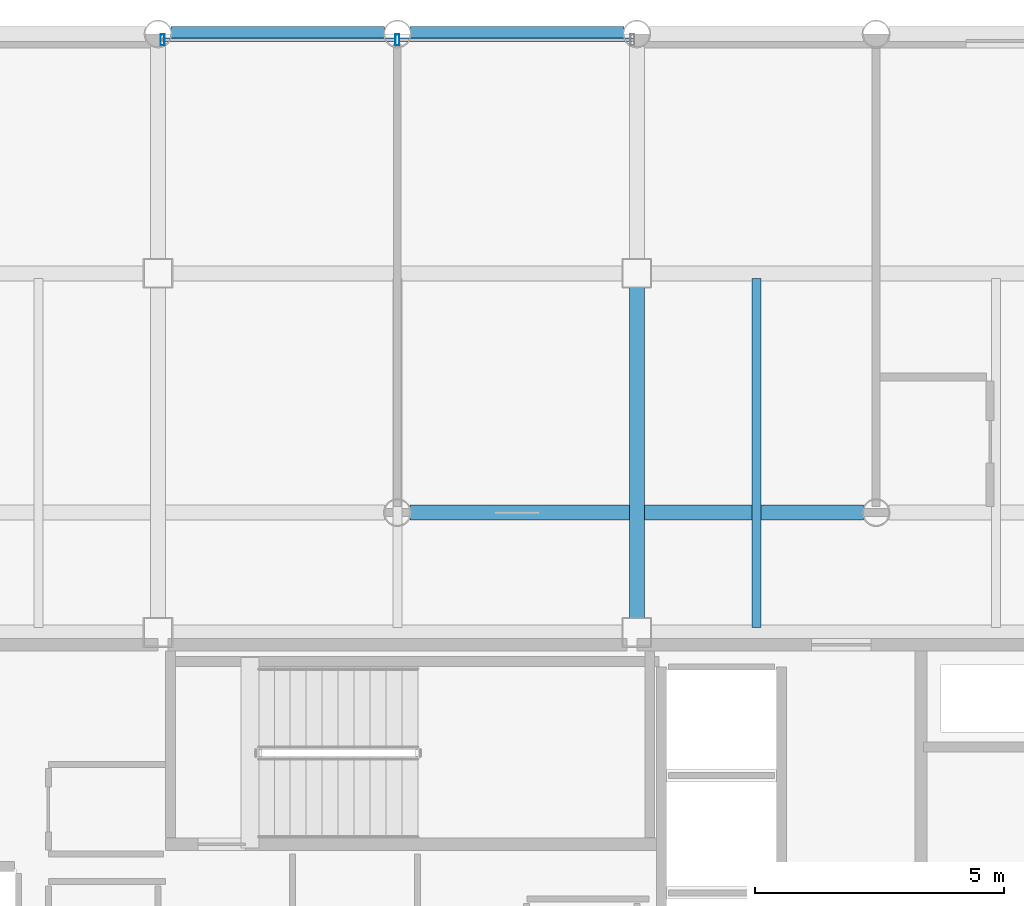
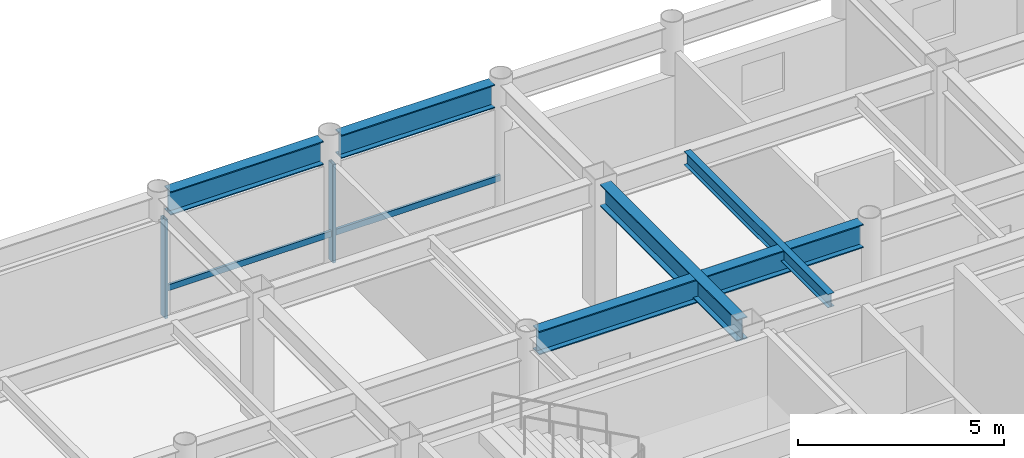
# One storey, part 13 of 22: 5 beams, 4 members, 1 element without a shape of its own.
"""IFC4 building model written with IfcOpenShell, lengths in metres."""

from ifc_helpers import new_model, si_unit, direction, frame, origin, origin_2d, place, context, subcontext, project, spatial, hollow_rectangle, i_section, extrude, material, layer, layer_set, material_profile, profile_set, type_object, element, aggregate, save


model = new_model("IFC4")

# Units and contexts
model_context = context("Model", 3, precision=1e-05, world=origin(), true_north=direction((0.0, 1.0)))
body_context = subcontext(model_context, "Body", "Model", "MODEL_VIEW")
ifc_project = project(units=[si_unit("LENGTHUNIT", "METRE"), si_unit("AREAUNIT", "SQUARE_METRE"), si_unit("VOLUMEUNIT", "CUBIC_METRE"), si_unit("PLANEANGLEUNIT", "RADIAN"), si_unit("MASSUNIT", "GRAM", prefix="KILO")], contexts=[model_context])

# Site, building, storey
site_placement = place(None, origin())
site = spatial("IfcSite", under=ifc_project, at=site_placement, CompositionType="ELEMENT")
building_placement = place(site_placement, origin())
building = spatial("IfcBuilding", under=site, at=building_placement, Name="Kallvorn Hotel Tower", CompositionType="ELEMENT")
storey_placement = place(building_placement, frame((0.0, 0.0, 206.89990234375)))
storey = spatial("IfcBuildingStorey", under=building, at=storey_placement, Name="L51", CompositionType="ELEMENT", Elevation=206.89990234375)

# Beams
ifc_material_1 = material(Name="Structural steel S355JR", Category="steel")
ifc_material_profile_1 = material_profile(ifc_material_1, i_section(OverallWidth=0.300048828125, OverallDepth=0.64990234375, WebThickness=0.01611328125, FlangeThickness=0.031005859375, at=origin_2d()), Name="HE 650 B")
ifc_profile_set_1 = profile_set([ifc_material_profile_1], Name="Structural steel S355JR")
beam_type_1 = type_object("IfcBeamType", Name="BM_HE650B", PredefinedType="BEAM", material=ifc_profile_set_1)
beam_1_placement = place(storey_placement, frame((4.800048828125, 7.47509765625, 3.34521484375), z_axis=(0.0, 1.0, 0.0), x_axis=(-1.0, 0.0, 0.0)))
element("IfcBeam", 1, at=beam_1_placement, inside=storey, type_object=beam_type_1, Name="L52 Primary Y-Girder 116", PredefinedType="BEAM", context=body_context, shape_type="SweptSolid", body=[
    extrude(i_section(OverallWidth=0.300048828125, OverallDepth=0.64990234375, WebThickness=0.01611328125, FlangeThickness=0.031005859375, at=origin_2d()), origin(), (0.0, 0.0, 1.0), 6.64990234375),
])
ifc_material_2 = material(Name="Structural steel S355JR", Category="steel")
ifc_material_profile_2 = material_profile(ifc_material_2, i_section(OverallWidth=0.300048828125, OverallDepth=0.699951171875, WebThickness=0.01708984375, FlangeThickness=0.031982421875, at=origin_2d()), Name="HE 700 B")
ifc_profile_set_2 = profile_set([ifc_material_profile_2], Name="Structural steel S355JR")
beam_type_2 = type_object("IfcBeamType", Name="BM_HE700B", PredefinedType="BEAM", material=ifc_profile_set_2)
beam_2_placement = place(storey_placement, frame((0.25439453125, 9.60009765625, 3.320068359375), z_axis=(1.0, 0.0, 0.0), x_axis=(0.0, 1.0, 0.0)))
element("IfcBeam", 2, at=beam_2_placement, inside=storey, type_object=beam_type_2, Name="L52 Primary X-Girder 46", PredefinedType="BEAM", context=body_context, shape_type="SweptSolid", body=[
    extrude(i_section(OverallWidth=0.300048828125, OverallDepth=0.699951171875, WebThickness=0.01708984375, FlangeThickness=0.031982421875, at=origin_2d()), origin(), (0.0, 0.0, 1.0), 9.091064453125),
])
for number, where, z_axis, x_axis, name in (
    (3, (-4.54541015625, 19.199951171875, 3.320068359375), (1.0, 0.0, 0.0), (0.0, 1.0, 0.0), "L52 Primary X-Girder 66"),
    (4, (0.25439453125, 19.199951171875, 3.320068359375), (1.0, 0.0, 0.0), (0.0, 1.0, 0.0), "L52 Primary X-Girder 67"),
):
    element("IfcBeam", number, at=place(storey_placement, frame(where, z_axis=z_axis, x_axis=x_axis)), inside=storey, type_object=beam_type_2, Name=name, PredefinedType="BEAM", context=body_context, shape_type="SweptSolid", body=[
        extrude(i_section(OverallWidth=0.300048828125, OverallDepth=0.699951171875, WebThickness=0.01708984375, FlangeThickness=0.031982421875, at=origin_2d()), origin(), (0.0, 0.0, 1.0), 4.291015625),
    ])
ifc_material_3 = material(Name="Structural steel S355JR", Category="steel")
ifc_material_profile_3 = material_profile(ifc_material_3, i_section(OverallWidth=0.179931640625, OverallDepth=0.39990234375, WebThickness=0.008544921875, FlangeThickness=0.013427734375, at=origin_2d()), Name="IPE 400")
ifc_profile_set_3 = profile_set([ifc_material_profile_3], Name="Structural steel S355JR")
beam_type_3 = type_object("IfcBeamType", Name="BM_IPE400", PredefinedType="JOIST", material=ifc_profile_set_3)
beam_3_placement = place(storey_placement, frame((7.199951171875, 7.300048828125, 3.47021484375), z_axis=(0.0, 1.0, 0.0), x_axis=(-1.0, 0.0, 0.0)))
element("IfcBeam", 5, at=beam_3_placement, inside=storey, type_object=beam_type_3, Name="L52 Secondary Composite Joist 203", PredefinedType="JOIST", context=body_context, shape_type="SweptSolid", body=[
    extrude(i_section(OverallWidth=0.179931640625, OverallDepth=0.39990234375, WebThickness=0.008544921875, FlangeThickness=0.013427734375, at=origin_2d()), origin(), (0.0, 0.0, 1.0), 7.0),
])

# Curtain wall, members
ifc_material_4 = material(Name="Thermally broken black-anodised aluminium AA 6063-T6", Category="aluminium")
ifc_layer = layer(ifc_material_4, 0.22998046875)
ifc_layer_set = layer_set([ifc_layer], Name="CW_SYS_5_HOTEL_HIGH")
curtain_wall_type = type_object("IfcCurtainWallType", Name="CW_SYS_5_HOTEL_HIGH", PredefinedType="USERDEFINED", material=ifc_layer_set)
curtain_wall_placement = place(storey_placement, origin())
curtain_wall = element("IfcCurtainWall", 6, at=curtain_wall_placement, inside=storey, type_object=curtain_wall_type, Name="L51 Dark-Glass Curtain Wall CW-L51-NC", ObjectType="UNITISED CURTAIN WALL", PredefinedType="USERDEFINED")
ifc_material_5 = material(Name="Thermally broken black-anodised aluminium AA 6063-T6", Category="aluminium")
ifc_material_profile_4 = material_profile(ifc_material_5, hollow_rectangle(XDim=0.080078125, YDim=0.219970703125, WallThickness=0.0048828125, at=origin_2d()), Name="MUL 220x80")
ifc_profile_set_4 = profile_set([ifc_material_profile_4], Name="Thermally broken black-anodised aluminium AA 6063-T6")
member_type_1 = type_object("IfcMemberType", Name="CW_MULLION_220x80", PredefinedType="MULLION", material=ifc_profile_set_4)
member_1_placement = place(storey_placement, frame((-4.7099609375, 19.080078125, 0.02001953125), z_axis=(0.0, 0.0, 1.0), x_axis=(1.0, 0.0, 0.0)))
member_1 = element("IfcMember", 7, at=member_1_placement, type_object=member_type_1, Name="CW-L51-NC Mullion 00", PredefinedType="MULLION", context=body_context, shape_type="SweptSolid", body=[
    extrude(hollow_rectangle(XDim=0.080078125, YDim=0.219970703125, WallThickness=0.0048828125, at=origin_2d()), origin(), (0.0, 0.0, 1.0), 2.93017578125),
])
member_2_placement = place(storey_placement, frame((0.0, 19.080078125, 0.02001953125), z_axis=(0.0, 0.0, 1.0), x_axis=(1.0, 0.0, 0.0)))
member_2 = element("IfcMember", 8, at=member_2_placement, type_object=member_type_1, Name="CW-L51-NC Mullion 01", PredefinedType="MULLION", context=body_context, shape_type="SweptSolid", body=[
    extrude(hollow_rectangle(XDim=0.080078125, YDim=0.219970703125, WallThickness=0.0048828125, at=origin_2d()), origin(), (0.0, 0.0, 1.0), 2.93017578125),
])
ifc_material_6 = material(Name="Thermally broken black-anodised aluminium AA 6063-T6", Category="aluminium")
ifc_material_profile_5 = material_profile(ifc_material_6, hollow_rectangle(XDim=0.070068359375, YDim=0.179931640625, WallThickness=0.00390625, at=origin_2d()), Name="TRN 180x70")
ifc_profile_set_5 = profile_set([ifc_material_profile_5], Name="Thermally broken black-anodised aluminium AA 6063-T6")
member_type_2 = type_object("IfcMemberType", Name="CW_TRANSOM_180x70", PredefinedType="USERDEFINED", material=ifc_profile_set_5)
member_3_placement = place(storey_placement, frame((-4.7099609375, 19.080078125, 0.85009765625), z_axis=(1.0, 0.0, 0.0), x_axis=(0.0, 1.0, 0.0)))
member_3 = element("IfcMember", 9, at=member_3_placement, type_object=member_type_2, Name="CW-L51-NC Transom 00M", ObjectType="TRANSOM", PredefinedType="USERDEFINED", context=body_context, shape_type="SweptSolid", body=[
    extrude(hollow_rectangle(XDim=0.070068359375, YDim=0.179931640625, WallThickness=0.00390625, at=origin_2d()), origin(), (0.0, 0.0, 1.0), 4.669921875),
])
member_4_placement = place(storey_placement, frame((0.0400390625, 19.080078125, 0.85009765625), z_axis=(1.0, 0.0, 0.0), x_axis=(0.0, 1.0, 0.0)))
member_4 = element("IfcMember", 10, at=member_4_placement, type_object=member_type_2, Name="CW-L51-NC Transom 01M", ObjectType="TRANSOM", PredefinedType="USERDEFINED", context=body_context, shape_type="SweptSolid", body=[
    extrude(hollow_rectangle(XDim=0.070068359375, YDim=0.179931640625, WallThickness=0.00390625, at=origin_2d()), origin(), (0.0, 0.0, 1.0), 4.669921875),
])
aggregate(curtain_wall, [member_1, member_2, member_3, member_4])

save(model, "model.ifc")
